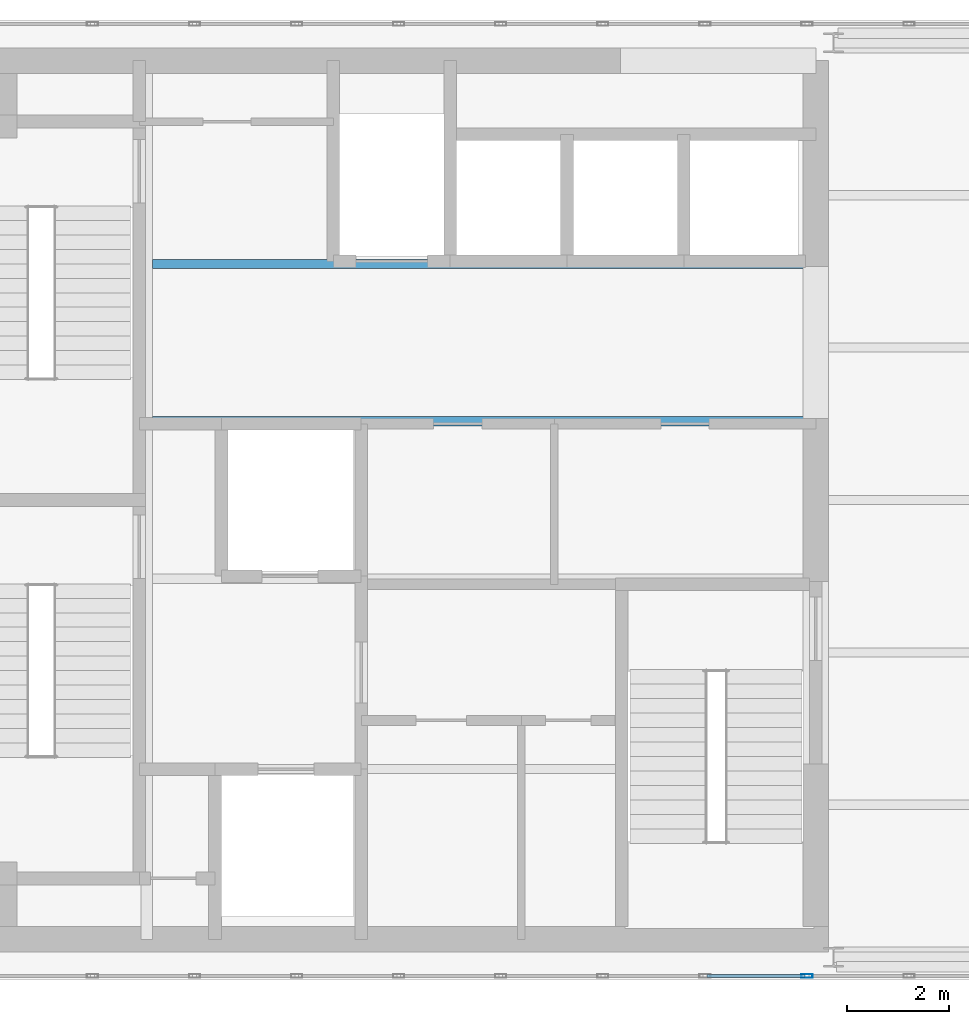
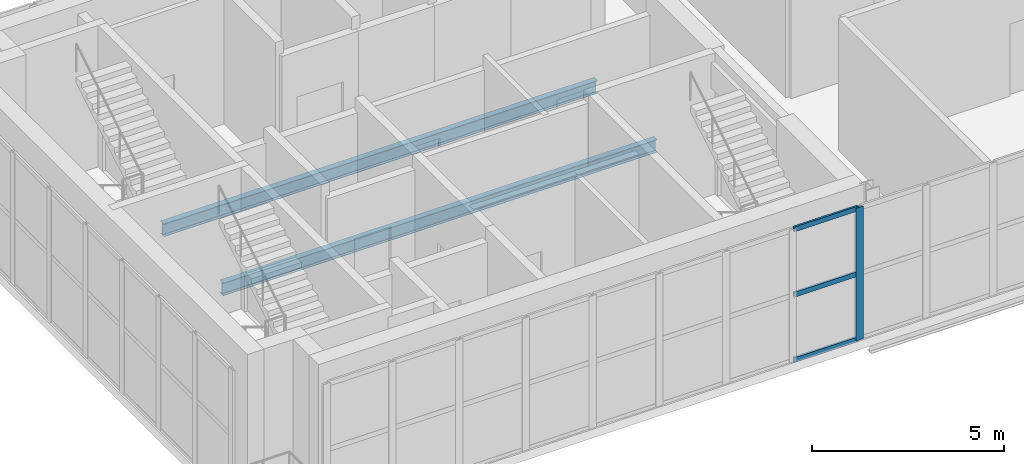
# One storey, part 5 of 21: 4 members, 2 beams, 1 element without a shape of its own.
"""IFC4 building model written with IfcOpenShell, lengths in metres."""

from ifc_helpers import new_model, si_unit, direction, frame, origin, origin_2d, place, context, subcontext, project, spatial, hollow_rectangle, i_section, extrude, material, layer, layer_set, material_profile, profile_set, type_object, element, aggregate, save


model = new_model("IFC4")

# Units and contexts
model_context = context("Model", 3, precision=1e-05, world=origin(), true_north=direction((0.0, 1.0)))
body_context = subcontext(model_context, "Body", "Model", "MODEL_VIEW")
ifc_project = project(units=[si_unit("LENGTHUNIT", "METRE"), si_unit("AREAUNIT", "SQUARE_METRE"), si_unit("VOLUMEUNIT", "CUBIC_METRE"), si_unit("PLANEANGLEUNIT", "RADIAN"), si_unit("MASSUNIT", "GRAM", prefix="KILO")], contexts=[model_context])

# Site, building, storey
site_placement = place(None, origin())
site = spatial("IfcSite", under=ifc_project, at=site_placement, CompositionType="ELEMENT")
building_placement = place(site_placement, origin())
building = spatial("IfcBuilding", under=site, at=building_placement, Name="Mawjdan Bourse Tower", CompositionType="ELEMENT")
storey_placement = place(building_placement, frame((0.0, 0.0, 313.199951171875)))
storey = spatial("IfcBuildingStorey", under=building, at=storey_placement, Name="L77", CompositionType="ELEMENT", Elevation=313.199951171875)

# Beams
ifc_material_1 = material(Name="Structural Steel S355", Category="steel")
ifc_material_profile_1 = material_profile(ifc_material_1, i_section(OverallWidth=0.177978515625, OverallDepth=0.406982421875, WebThickness=0.0078125, FlangeThickness=0.0126953125, FilletRadius=0.01025390625, at=origin_2d()), Name="W16X40")
ifc_profile_set_1 = profile_set([ifc_material_profile_1], Name="Structural Steel S355")
beam_type = type_object("IfcBeamType", Name="JST-W16X40", PredefinedType="JOIST", material=ifc_profile_set_1)
for number, where, z_axis, x_axis, name in (
    (1, (10.593017578125, 13.550048828125, -0.4833984375), (1.0, 0.0, 0.0), (0.0, 1.0, 0.0), "L77 Core Floor Joist 028"),
    (2, (10.593017578125, 16.64990234375, -0.4833984375), (1.0, 0.0, 0.0), (0.0, 1.0, 0.0), "L77 Core Floor Joist 029"),
):
    element("IfcBeam", number, at=place(storey_placement, frame(where, z_axis=z_axis, x_axis=x_axis)), inside=storey, type_object=beam_type, Name=name, PredefinedType="JOIST", context=body_context, shape_type="SweptSolid", body=[
        extrude(i_section(OverallWidth=0.177978515625, OverallDepth=0.406982421875, WebThickness=0.0078125, FlangeThickness=0.0126953125, FilletRadius=0.01025390625, at=origin_2d()), origin(), (0.0, 0.0, 1.0), 13.056884765625),
    ])

# Curtain wall, members
ifc_material_2 = material(Name="Thermally Broken Aluminium and Solar Glass", Category="aluminium")
ifc_layer = layer(ifc_material_2, 0.219970703125)
ifc_layer_set = layer_set([ifc_layer], Name="Thermally Broken Aluminium and Solar Glass")
curtain_wall_type = type_object("IfcCurtainWallType", Name="CW-CRN", PredefinedType="USERDEFINED", material=ifc_layer_set)
curtain_wall_placement = place(storey_placement, origin())
curtain_wall = element("IfcCurtainWall", 3, at=curtain_wall_placement, inside=storey, type_object=curtain_wall_type, Name="L77 Lantern Crown South Curtain Wall", ObjectType="LANTERN GLAZED CROWN", PredefinedType="USERDEFINED")
ifc_material_3 = material(Name="Thermally Broken Anodised Aluminium", Category="aluminium")
ifc_material_profile_2 = material_profile(ifc_material_3, hollow_rectangle(XDim=0.074951171875, YDim=0.219970703125, WallThickness=0.0048828125, at=origin_2d()), Name="ALU-MUL-220X75")
ifc_profile_set_2 = profile_set([ifc_material_profile_2], Name="Thermally Broken Anodised Aluminium")
member_type_1 = type_object("IfcMemberType", Name="MUL-ALU-MUL-220X75", PredefinedType="MULLION", material=ifc_profile_set_2)
member_1_placement = place(storey_placement, frame((23.47607421875, 2.6298828125, 0.0), z_axis=(0.0, 0.0, 1.0), x_axis=(0.0, 1.0, 0.0)))
member_1 = element("IfcMember", 4, at=member_1_placement, type_object=member_type_1, Name="CW-CRN-L77-CRN-S mullion 9", PredefinedType="MULLION", context=body_context, shape_type="SweptSolid", body=[
    extrude(hollow_rectangle(XDim=0.074951171875, YDim=0.219970703125, WallThickness=0.0048828125, at=origin_2d()), origin(), (0.0, 0.0, 1.0), 4.219970703125),
])
ifc_material_profile_3 = material_profile(ifc_material_3, hollow_rectangle(XDim=0.06005859375, YDim=0.155029296875, WallThickness=0.00390625, at=origin_2d()), Name="ALU-TRN-155X60")
ifc_profile_set_3 = profile_set([ifc_material_profile_3], Name="Thermally Broken Anodised Aluminium")
member_type_2 = type_object("IfcMemberType", Name="TRN-ALU-TRN-155X60", PredefinedType="USERDEFINED", material=ifc_profile_set_3)
member_2_placement = place(storey_placement, frame((21.504150390625, 2.6298828125, 0.030029296875), z_axis=(1.0, 0.0, 0.0), x_axis=(0.0, 1.0, 0.0)))
member_2 = element("IfcMember", 5, at=member_2_placement, type_object=member_type_2, Name="CW-CRN-L77-CRN-S transom 8.1", ObjectType="TRANSOM", PredefinedType="USERDEFINED", context=body_context, shape_type="SweptSolid", body=[
    extrude(hollow_rectangle(XDim=0.06005859375, YDim=0.155029296875, WallThickness=0.00390625, at=origin_2d()), origin(), (0.0, 0.0, 1.0), 1.9345703125),
])
member_3_placement = place(storey_placement, frame((21.504150390625, 2.6298828125, 2.110107421875), z_axis=(1.0, 0.0, 0.0), x_axis=(0.0, 1.0, 0.0)))
member_3 = element("IfcMember", 6, at=member_3_placement, type_object=member_type_2, Name="CW-CRN-L77-CRN-S transom 8.2", ObjectType="TRANSOM", PredefinedType="USERDEFINED", context=body_context, shape_type="SweptSolid", body=[
    extrude(hollow_rectangle(XDim=0.06005859375, YDim=0.155029296875, WallThickness=0.00390625, at=origin_2d()), origin(), (0.0, 0.0, 1.0), 1.9345703125),
])
member_4_placement = place(storey_placement, frame((21.504150390625, 2.6298828125, 4.18994140625), z_axis=(1.0, 0.0, 0.0), x_axis=(0.0, 1.0, 0.0)))
member_4 = element("IfcMember", 7, at=member_4_placement, type_object=member_type_2, Name="CW-CRN-L77-CRN-S transom 8.3", ObjectType="TRANSOM", PredefinedType="USERDEFINED", context=body_context, shape_type="SweptSolid", body=[
    extrude(hollow_rectangle(XDim=0.06005859375, YDim=0.155029296875, WallThickness=0.00390625, at=origin_2d()), origin(), (0.0, 0.0, 1.0), 1.9345703125),
])
aggregate(curtain_wall, [member_1, member_2, member_3, member_4])

save(model, "model.ifc")
